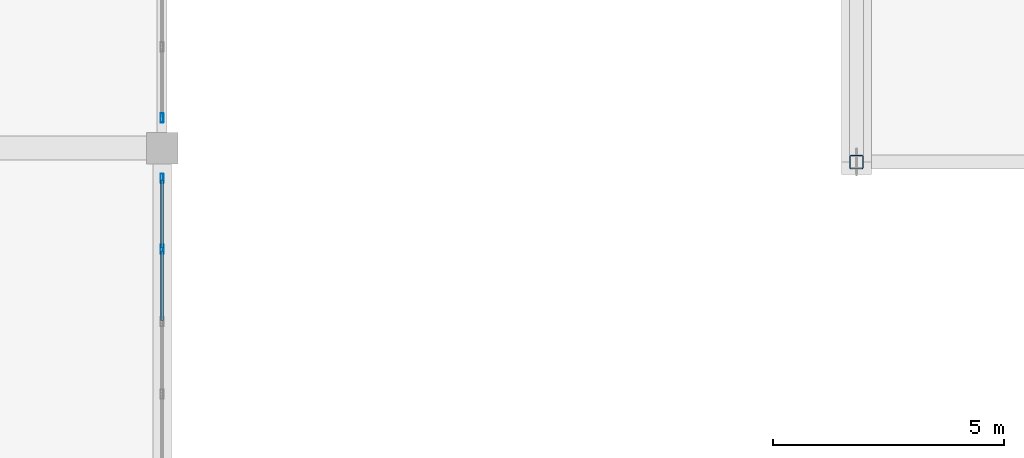
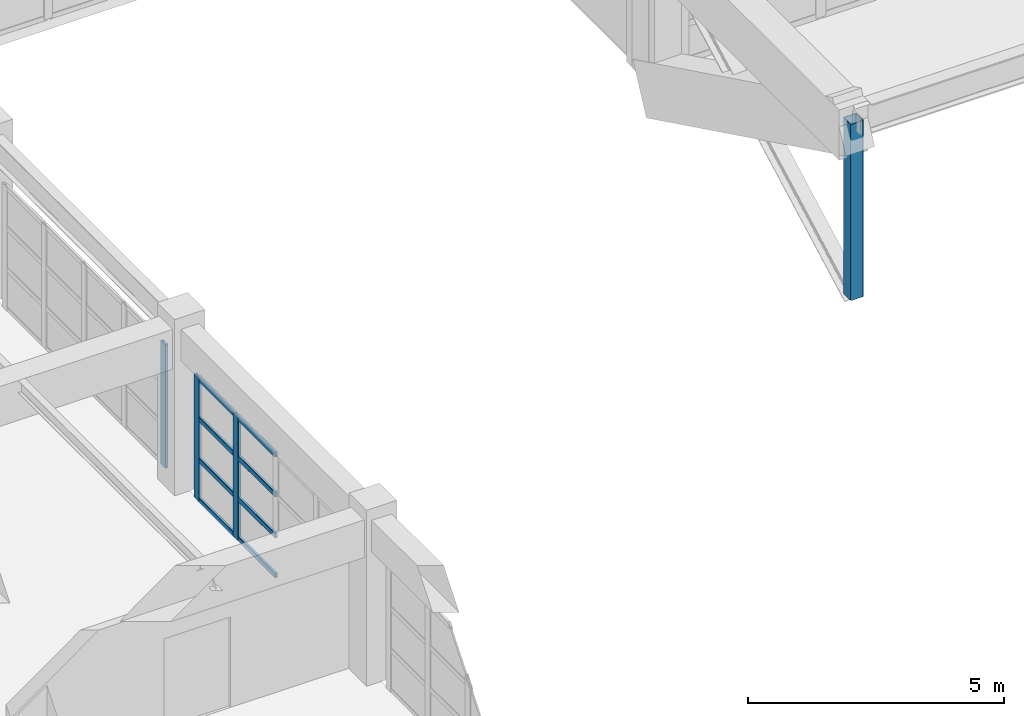
# One storey, part 9 of 132: 12 members, 2 elements without a shape of their own.
"""IFC4 building model written with IfcOpenShell, lengths in metres."""

from ifc_helpers import new_model, si_unit, direction, frame, origin, origin_2d, place, context, subcontext, project, spatial, hollow_rectangle, extrude, material, material_profile, profile_set, type_object, element, aggregate, save


model = new_model("IFC4")

# Units and contexts
model_context = context("Model", 3, precision=1e-05, world=origin(), true_north=direction((0.0, 1.0)))
body_context = subcontext(model_context, "Body", "Model", "MODEL_VIEW")
ifc_project = project(units=[si_unit("LENGTHUNIT", "METRE"), si_unit("AREAUNIT", "SQUARE_METRE"), si_unit("VOLUMEUNIT", "CUBIC_METRE"), si_unit("PLANEANGLEUNIT", "RADIAN"), si_unit("MASSUNIT", "GRAM", prefix="KILO")], contexts=[model_context])

# Site, building, storey
site_placement = place(None, origin())
site = spatial("IfcSite", under=ifc_project, at=site_placement, CompositionType="ELEMENT")
building_placement = place(site_placement, origin())
building = spatial("IfcBuilding", under=site, at=building_placement, Name="Qasida Concert Hall", CompositionType="ELEMENT")
storey_placement = place(building_placement, frame((0.0, 0.0, 4.800048828125)))
storey = spatial("IfcBuildingStorey", under=building, at=storey_placement, Name="L01", CompositionType="ELEMENT", Elevation=4.800048828125)

# Curtain wall, members
ifc_material_1 = material(Name="Architectural bronze-anodized aluminium and low-E glass", Category="aluminium")
curtain_wall_type = type_object("IfcCurtainWallType", Name="CW-07", PredefinedType="NOTDEFINED", material=ifc_material_1)
curtain_wall_1_placement = place(storey_placement, origin())
curtain_wall_1 = element("IfcCurtainWall", 1, at=curtain_wall_1_placement, inside=storey, type_object=curtain_wall_type, Name="L01 curtain wall CW-07 0093", PredefinedType="NOTDEFINED")
ifc_material_2 = material(Name="Architectural bronze-anodized aluminium EN AW-6063", Category="aluminium")
ifc_material_profile_1 = material_profile(ifc_material_2, hollow_rectangle(XDim=0.06494140625, YDim=0.199951171875, WallThickness=0.0048828125, InnerFilletRadius=0.0048828125, OuterFilletRadius=0.010009765625, at=origin_2d()), Name="CWM 200x65x5")
ifc_profile_set_1 = profile_set([ifc_material_profile_1], Name="Architectural bronze-anodized aluminium EN AW-6063")
member_type_1 = type_object("IfcMemberType", Name="MB-CWM-2", PredefinedType="MULLION", material=ifc_profile_set_1)
member_1_placement = place(storey_placement, frame((37.5, 12.81494140625, 0.0), z_axis=(0.0, 0.0, 1.0), x_axis=(-1.0, 0.0, 0.0)))
member_1 = element("IfcMember", 2, at=member_1_placement, type_object=member_type_1, Name="CW-07 mullion 4", PredefinedType="MULLION", context=body_context, shape_type="SweptSolid", body=[
    extrude(hollow_rectangle(XDim=0.06494140625, YDim=0.199951171875, WallThickness=0.0048828125, InnerFilletRadius=0.0048828125, OuterFilletRadius=0.010009765625, at=origin_2d()), origin(), (0.0, 0.0, 1.0), 2.93994140625),
])
member_2_placement = place(storey_placement, frame((37.5, 14.347412109375, 0.0), z_axis=(0.0, 0.0, 1.0), x_axis=(-1.0, 0.0, 0.0)))
member_2 = element("IfcMember", 3, at=member_2_placement, type_object=member_type_1, Name="CW-07 mullion 5", PredefinedType="MULLION", context=body_context, shape_type="SweptSolid", body=[
    extrude(hollow_rectangle(XDim=0.06494140625, YDim=0.199951171875, WallThickness=0.0048828125, InnerFilletRadius=0.0048828125, OuterFilletRadius=0.010009765625, at=origin_2d()), origin(), (0.0, 0.0, 1.0), 2.93994140625),
])

# Curtain wall, member
curtain_wall_2_placement = place(storey_placement, origin())
curtain_wall_2 = element("IfcCurtainWall", 4, at=curtain_wall_2_placement, inside=storey, type_object=curtain_wall_type, Name="L01 curtain wall CW-07 0094", PredefinedType="NOTDEFINED")
member_3_placement = place(storey_placement, frame((37.5, 15.652587890625, 0.0), z_axis=(0.0, 0.0, 1.0), x_axis=(-1.0, 0.0, 0.0)))
member_3 = element("IfcMember", 5, at=member_3_placement, type_object=member_type_1, Name="CW-07 mullion 1", PredefinedType="MULLION", context=body_context, shape_type="SweptSolid", body=[
    extrude(hollow_rectangle(XDim=0.06494140625, YDim=0.199951171875, WallThickness=0.0048828125, InnerFilletRadius=0.0048828125, OuterFilletRadius=0.010009765625, at=origin_2d()), origin(), (0.0, 0.0, 1.0), 2.93994140625),
])
aggregate(curtain_wall_2, [member_3])

# Member
ifc_material_profile_2 = material_profile(ifc_material_2, hollow_rectangle(XDim=0.06005859375, YDim=0.1201171875, WallThickness=0.00390625, InnerFilletRadius=0.00390625, OuterFilletRadius=0.008056640625, at=origin_2d()), Name="CWT 120x60x4")
ifc_profile_set_2 = profile_set([ifc_material_profile_2], Name="Architectural bronze-anodized aluminium EN AW-6063")
member_type_2 = type_object("IfcMemberType", Name="MB-CWT-2", PredefinedType="USERDEFINED", material=ifc_profile_set_2)
member_4_placement = place(storey_placement, frame((37.5, 11.282470703125, 0.030029296875), z_axis=(0.0, 1.0, 0.0), x_axis=(-1.0, 0.0, 0.0)))
member_4 = element("IfcMember", 6, at=member_4_placement, type_object=member_type_2, Name="CW-07 transom 3.1", ObjectType="TRANSOM", PredefinedType="USERDEFINED", context=body_context, shape_type="SweptSolid", body=[
    extrude(hollow_rectangle(XDim=0.06005859375, YDim=0.1201171875, WallThickness=0.00390625, InnerFilletRadius=0.00390625, OuterFilletRadius=0.008056640625, at=origin_2d()), origin(), (0.0, 0.0, 1.0), 1.5),
])

member_5_placement = place(storey_placement, frame((37.5, 11.282470703125, 0.97998046875), z_axis=(0.0, 1.0, 0.0), x_axis=(-1.0, 0.0, 0.0)))
member_5 = element("IfcMember", 7, at=member_5_placement, type_object=member_type_2, Name="CW-07 transom 3.2", ObjectType="TRANSOM", PredefinedType="USERDEFINED", context=body_context, shape_type="SweptSolid", body=[
    extrude(hollow_rectangle(XDim=0.06005859375, YDim=0.1201171875, WallThickness=0.00390625, InnerFilletRadius=0.00390625, OuterFilletRadius=0.008056640625, at=origin_2d()), origin(), (0.0, 0.0, 1.0), 1.5),
])

member_6_placement = place(storey_placement, frame((37.5, 11.282470703125, 1.9599609375), z_axis=(0.0, 1.0, 0.0), x_axis=(-1.0, 0.0, 0.0)))
member_6 = element("IfcMember", 8, at=member_6_placement, type_object=member_type_2, Name="CW-07 transom 3.3", ObjectType="TRANSOM", PredefinedType="USERDEFINED", context=body_context, shape_type="SweptSolid", body=[
    extrude(hollow_rectangle(XDim=0.06005859375, YDim=0.1201171875, WallThickness=0.00390625, InnerFilletRadius=0.00390625, OuterFilletRadius=0.008056640625, at=origin_2d()), origin(), (0.0, 0.0, 1.0), 1.5),
])

member_7_placement = place(storey_placement, frame((37.5, 11.282470703125, 2.909912109375), z_axis=(0.0, 1.0, 0.0), x_axis=(-1.0, 0.0, 0.0)))
member_7 = element("IfcMember", 9, at=member_7_placement, type_object=member_type_2, Name="CW-07 transom 3.4", ObjectType="TRANSOM", PredefinedType="USERDEFINED", context=body_context, shape_type="SweptSolid", body=[
    extrude(hollow_rectangle(XDim=0.06005859375, YDim=0.1201171875, WallThickness=0.00390625, InnerFilletRadius=0.00390625, OuterFilletRadius=0.008056640625, at=origin_2d()), origin(), (0.0, 0.0, 1.0), 1.5),
])

member_8_placement = place(storey_placement, frame((37.5, 12.847412109375, 0.030029296875), z_axis=(0.0, 1.0, 0.0), x_axis=(-1.0, 0.0, 0.0)))
member_8 = element("IfcMember", 10, at=member_8_placement, type_object=member_type_2, Name="CW-07 transom 4.1", ObjectType="TRANSOM", PredefinedType="USERDEFINED", context=body_context, shape_type="SweptSolid", body=[
    extrude(hollow_rectangle(XDim=0.06005859375, YDim=0.1201171875, WallThickness=0.00390625, InnerFilletRadius=0.00390625, OuterFilletRadius=0.008056640625, at=origin_2d()), origin(), (0.0, 0.0, 1.0), 1.467529296875),
])

member_9_placement = place(storey_placement, frame((37.5, 12.847412109375, 0.97998046875), z_axis=(0.0, 1.0, 0.0), x_axis=(-1.0, 0.0, 0.0)))
member_9 = element("IfcMember", 11, at=member_9_placement, type_object=member_type_2, Name="CW-07 transom 4.2", ObjectType="TRANSOM", PredefinedType="USERDEFINED", context=body_context, shape_type="SweptSolid", body=[
    extrude(hollow_rectangle(XDim=0.06005859375, YDim=0.1201171875, WallThickness=0.00390625, InnerFilletRadius=0.00390625, OuterFilletRadius=0.008056640625, at=origin_2d()), origin(), (0.0, 0.0, 1.0), 1.467529296875),
])

member_10_placement = place(storey_placement, frame((37.5, 12.847412109375, 1.9599609375), z_axis=(0.0, 1.0, 0.0), x_axis=(-1.0, 0.0, 0.0)))
member_10 = element("IfcMember", 12, at=member_10_placement, type_object=member_type_2, Name="CW-07 transom 4.3", ObjectType="TRANSOM", PredefinedType="USERDEFINED", context=body_context, shape_type="SweptSolid", body=[
    extrude(hollow_rectangle(XDim=0.06005859375, YDim=0.1201171875, WallThickness=0.00390625, InnerFilletRadius=0.00390625, OuterFilletRadius=0.008056640625, at=origin_2d()), origin(), (0.0, 0.0, 1.0), 1.467529296875),
])

member_11_placement = place(storey_placement, frame((37.5, 12.847412109375, 2.909912109375), z_axis=(0.0, 1.0, 0.0), x_axis=(-1.0, 0.0, 0.0)))
member_11 = element("IfcMember", 13, at=member_11_placement, type_object=member_type_2, Name="CW-07 transom 4.4", ObjectType="TRANSOM", PredefinedType="USERDEFINED", context=body_context, shape_type="SweptSolid", body=[
    extrude(hollow_rectangle(XDim=0.06005859375, YDim=0.1201171875, WallThickness=0.00390625, InnerFilletRadius=0.00390625, OuterFilletRadius=0.008056640625, at=origin_2d()), origin(), (0.0, 0.0, 1.0), 1.467529296875),
])

aggregate(curtain_wall_1, [member_1, member_2, member_4, member_5, member_6, member_7, member_8, member_9, member_10, member_11])

ifc_material_3 = material(Name="Steel S355J2", Category="steel")
ifc_material_profile_3 = material_profile(ifc_material_3, hollow_rectangle(XDim=0.300048828125, YDim=0.300048828125, WallThickness=0.01611328125, InnerFilletRadius=0.01611328125, OuterFilletRadius=0.031982421875, at=origin_2d()), Name="SHS 300x300x16")
ifc_profile_set_3 = profile_set([ifc_material_profile_3], Name="Steel S355J2")
member_type_3 = type_object("IfcMemberType", Name="MB-ST4", PredefinedType="STRUT", material=ifc_profile_set_3)
member_12_placement = place(storey_placement, frame((52.5, 14.699951171875, -0.60009765625), z_axis=(0.0, 0.0, 1.0), x_axis=(1.0, 0.0, 0.0)))
element("IfcMember", 14, at=member_12_placement, inside=storey, type_object=member_type_3, Name="Wall truss post WT-W-001", PredefinedType="STRUT", context=body_context, shape_type="SweptSolid", body=[
    extrude(hollow_rectangle(XDim=0.300048828125, YDim=0.300048828125, WallThickness=0.01611328125, InnerFilletRadius=0.01611328125, OuterFilletRadius=0.031982421875, at=origin_2d()), origin(), (0.0, 0.0, 1.0), 4.199951171875),
])

save(model, "model.ifc")
